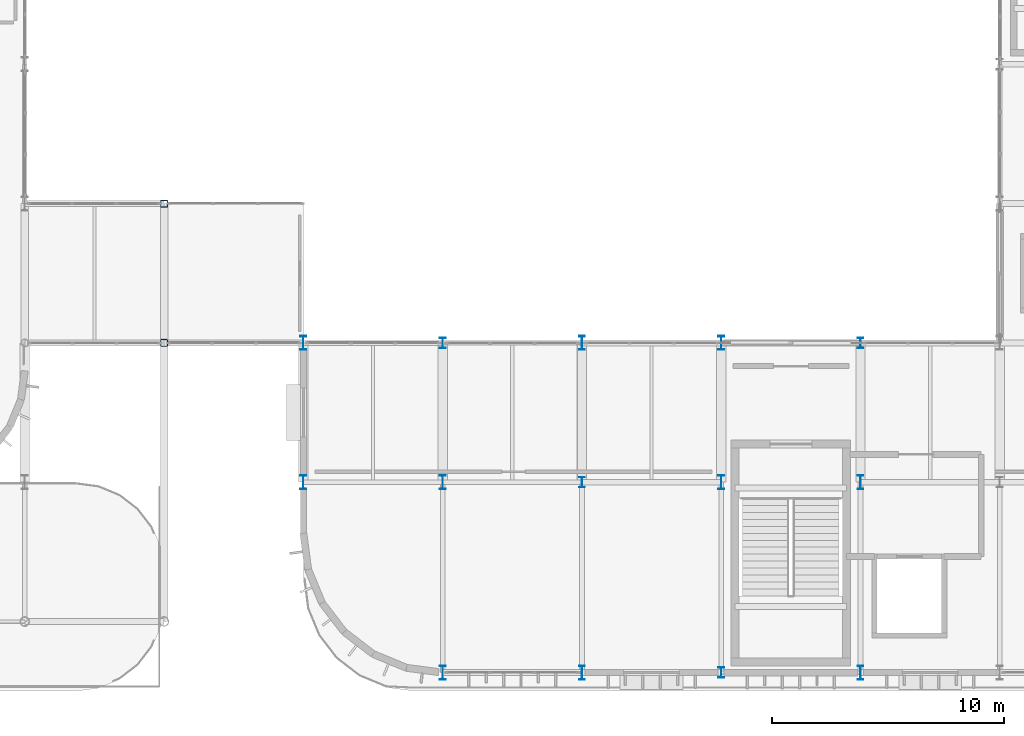
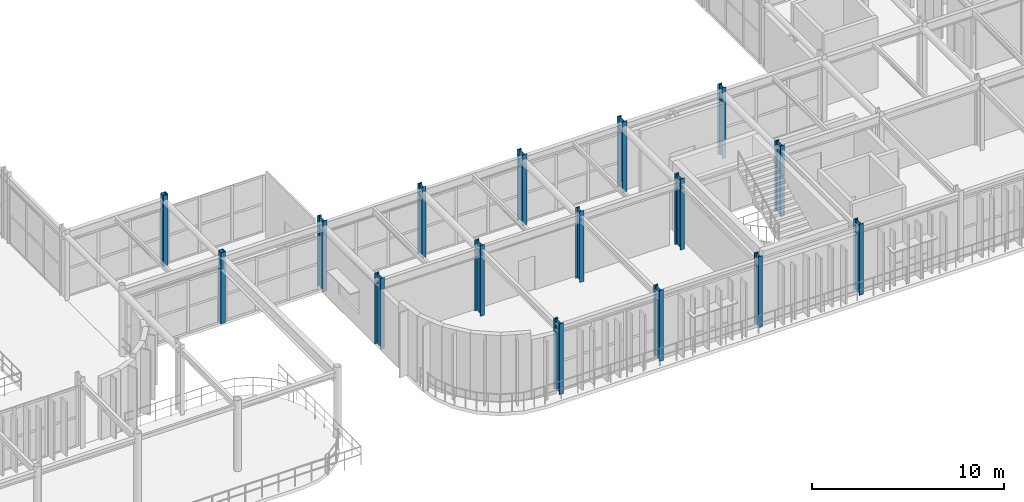
# One storey, part 8 of 96: 16 columns.
"""IFC4 building model written with IfcOpenShell, lengths in metres."""

import ifcopenshell
import ifcopenshell.guid

model = None  # the IFC model being written
_history = None  # IfcOwnerHistory: only IFC2X3 demands one
_inside = {}  # id of a spatial element -> (the spatial element, [elements in it])
_under = {}  # id of a project, library or spatial element -> (it, [spatial elements below it])
_declared = {}  # id of a project -> (the project, [libraries it declares])
_typed = {}  # id of a type object -> (the type object, [elements of that type])
_made_of = {}  # id of a material, layer set ... -> (it, [elements and type objects made of it])


def new_model(schema):
    """Start an empty IFC model of exactly this schema.

    Asked for "IFC4X3", IfcOpenShell would pick the latest addendum, in which some entities
    have other attributes; the version numbers below select the first issue.
    IFC2X3 requires an IfcOwnerHistory on every rooted entity: one is made here for all.
    """
    global model, _history
    if schema == "IFC4X3":
        model = ifcopenshell.file(schema_version=(4, 3, 0, 0))
    else:
        model = ifcopenshell.file(schema=schema)
    _inside.clear()
    _under.clear()
    _declared.clear()
    _typed.clear()
    _made_of.clear()
    _history = None
    if model.schema == "IFC2X3":
        org = make("IfcOrganization", Name="unknown")
        user = make(
            "IfcPersonAndOrganization",
            ThePerson=make("IfcPerson", FamilyName="unknown"),
            TheOrganization=org,
        )
        app = make(
            "IfcApplication",
            ApplicationDeveloper=org,
            Version="unknown",
            ApplicationFullName="unknown",
            ApplicationIdentifier="unknown",
        )
        _history = make(
            "IfcOwnerHistory",
            OwningUser=user,
            OwningApplication=app,
            ChangeAction="ADDED",
            CreationDate=0,
        )
    return model


def make(cls, **values):
    """One entity of the class cls with the attributes given. An attribute that is None is left unset."""
    return model.create_entity(
        cls, **{name: value for name, value in values.items() if value is not None}
    )


def rooted(cls, **values):
    """An entity with a GlobalId (a new one), such as an element, a storey or a relation."""
    return make(cls, GlobalId=ifcopenshell.guid.new(), OwnerHistory=_history, **values)


def si_unit(unit_type, name, prefix=None):
    """IfcSIUnit, for example si_unit("LENGTHUNIT", "METRE", prefix="MILLI")."""
    return make("IfcSIUnit", UnitType=unit_type, Prefix=prefix, Name=name)


def assignment(units):
    """IfcUnitAssignment: the units of a project."""
    return None if units is None else make("IfcUnitAssignment", Units=units)


def point(xyz):
    """IfcCartesianPoint."""
    return None if xyz is None else make("IfcCartesianPoint", Coordinates=xyz)


def direction(xyz):
    """IfcDirection."""
    return None if xyz is None else make("IfcDirection", DirectionRatios=xyz)


def frame(location, z_axis=None, x_axis=None):
    """IfcAxis2Placement3D, a coordinate frame: its origin and axes. An axis left out is left unset."""
    return make(
        "IfcAxis2Placement3D",
        Location=point(location),
        Axis=direction(z_axis),
        RefDirection=direction(x_axis),
    )


def frame_2d(location, x_axis=None):
    """IfcAxis2Placement2D, a coordinate frame in the plane: its origin and x axis."""
    return make(
        "IfcAxis2Placement2D", Location=point(location), RefDirection=direction(x_axis)
    )


def origin():
    """The frame at (0, 0, 0) with its axes left unset."""
    return frame((0.0, 0.0, 0.0))


def origin_2d():
    """The frame at (0, 0) in the plane with its x axis left unset."""
    return frame_2d((0.0, 0.0))


def place(relative_to, where):
    """IfcLocalPlacement: puts the frame where relative to a parent placement (None: the world)."""
    return make(
        "IfcLocalPlacement", PlacementRelTo=relative_to, RelativePlacement=where
    )


def context(
    kind, dimensions, precision=None, world=None, true_north=None, identifier=None
):
    """IfcGeometricRepresentationContext, for example the 3D "Model" context."""
    return make(
        "IfcGeometricRepresentationContext",
        ContextIdentifier=identifier,
        ContextType=kind,
        CoordinateSpaceDimension=dimensions,
        Precision=precision,
        WorldCoordinateSystem=world,
        TrueNorth=true_north,
    )


def subcontext(parent, identifier, kind, view, scale=None):
    """IfcGeometricRepresentationSubContext, for example "Body" below "Model"."""
    return make(
        "IfcGeometricRepresentationSubContext",
        ContextIdentifier=identifier,
        ContextType=kind,
        ParentContext=parent,
        TargetScale=scale,
        TargetView=view,
    )


def project(units=None, contexts=None):
    """IfcProject with its units and contexts."""
    return rooted(
        "IfcProject",
        Name="project",
        RepresentationContexts=contexts,
        UnitsInContext=assignment(units),
    )


def spatial(cls, under=None, at=None, **own):
    """A site, building, storey or space (cls), placed at a placement, below another one or the project."""
    s = rooted(cls, ObjectPlacement=at, **own)
    if under is not None:
        _under.setdefault(under.id(), (under, []))[1].append(s)
    return s


def profile(cls, at=None, kind="AREA", **sizes):
    """A parametric profile (cls). Its sizes go by their IFC names, for example OverallWidth=200.0."""
    return make(cls, ProfileType=kind, Position=at, **sizes)


def hollow_rectangle(**sizes):
    """IfcRectangleHollowProfileDef."""
    return profile("IfcRectangleHollowProfileDef", **sizes)


def i_section(**sizes):
    """IfcIShapeProfileDef."""
    return profile("IfcIShapeProfileDef", **sizes)


def extrude(swept, where, along, depth):
    """IfcExtrudedAreaSolid: the profile swept, set in the frame where, extruded along a direction by depth."""
    return make(
        "IfcExtrudedAreaSolid",
        SweptArea=swept,
        Position=where,
        ExtrudedDirection=direction(along),
        Depth=depth,
    )


def shape(context_of_items, identifier, shape_type, items):
    """IfcShapeRepresentation: the items that make up one representation, for example the "Body"."""
    return make(
        "IfcShapeRepresentation",
        ContextOfItems=context_of_items,
        RepresentationIdentifier=identifier,
        RepresentationType=shape_type,
        Items=items,
    )


def material(Name=None, Category=None):
    """IfcMaterial."""
    return make("IfcMaterial", Name=Name, Category=Category)


def material_profile(
    of_material, cross_section, Name=None, Category=None, Priority=None
):
    """IfcMaterialProfile: a cross section and its material."""
    return make(
        "IfcMaterialProfile",
        Name=Name,
        Material=of_material,
        Profile=cross_section,
        Priority=Priority,
        Category=Category,
    )


def profile_set(profiles, Name=None, composite=None):
    """IfcMaterialProfileSet."""
    return make(
        "IfcMaterialProfileSet",
        Name=Name,
        MaterialProfiles=profiles,
        CompositeProfile=composite,
    )


def made_of(thing, what):
    """Note that an element or type object is made of a material, layer set ...; save() writes the relation."""
    if what is not None:
        _made_of.setdefault(what.id(), (what, []))[1].append(thing)
    return thing


def type_object(cls, material=None, **own):
    """A type object (cls), such as IfcWallType, which elements share."""
    return made_of(rooted(cls, **own), material)


def element(
    cls,
    number,
    at=None,
    inside=None,
    cuts=None,
    type_object=None,
    material=None,
    context=None,
    identifier="Body",
    shape_type=None,
    held_by="IfcProductDefinitionShape",
    body=None,
    shapes=None,
    **own,
):
    """One element of the class cls, such as IfcWall. Its Tag is "e" and its number.

    at: its placement. inside: the storey or other place that contains it. cuts: it is an
    opening in that element (IfcRelVoidsElement). A single representation is given by context,
    identifier, shape_type and body (its items); several are given by shapes. held_by: the class
    of the entity that holds the representations. save() writes the other relations.
    """
    e = rooted(cls, Tag="e%d" % number, ObjectPlacement=at, **own)
    if body is not None:
        shapes = [shape(context, identifier, shape_type, body)]
    if shapes is not None:
        e.Representation = make(held_by, Representations=shapes)
    if inside is not None:
        _inside.setdefault(inside.id(), (inside, []))[1].append(e)
    if cuts is not None:
        rooted(
            "IfcRelVoidsElement", RelatingBuildingElement=cuts, RelatedOpeningElement=e
        )
    if type_object is not None:
        _typed.setdefault(type_object.id(), (type_object, []))[1].append(e)
    return made_of(e, material)


def aggregate(whole, parts):
    """IfcRelAggregates: a whole, such as a stair, and the parts it consists of."""
    return rooted("IfcRelAggregates", RelatingObject=whole, RelatedObjects=parts)


def save(model, path):
    """Write the relations noted so far, then the file.

    IfcRelAggregates (storeys below a building ...), IfcRelContainedInSpatialStructure (elements
    in a storey), IfcRelDefinesByType, IfcRelAssociatesMaterial and IfcRelDeclares: one each for
    every whole, place, type object, material and project.
    """
    for whole, parts in _under.values():
        aggregate(whole, parts)
    for where, things in _inside.values():
        rooted(
            "IfcRelContainedInSpatialStructure",
            RelatedElements=things,
            RelatingStructure=where,
        )
    for kind, things in _typed.values():
        rooted("IfcRelDefinesByType", RelatedObjects=things, RelatingType=kind)
    for what, things in _made_of.values():
        rooted("IfcRelAssociatesMaterial", RelatedObjects=things, RelatingMaterial=what)
    for by, libraries in _declared.values():
        rooted("IfcRelDeclares", RelatingContext=by, RelatedDefinitions=libraries)
    model.write(path)


model = new_model("IFC4")

# Units and contexts
model_context = context("Model", 3, precision=1e-05, world=origin(), true_north=direction((0.0, 1.0)))
body_context = subcontext(model_context, "Body", "Model", "MODEL_VIEW")
ifc_project = project(units=[si_unit("LENGTHUNIT", "METRE"), si_unit("AREAUNIT", "SQUARE_METRE"), si_unit("VOLUMEUNIT", "CUBIC_METRE"), si_unit("PLANEANGLEUNIT", "RADIAN"), si_unit("MASSUNIT", "GRAM", prefix="KILO")], contexts=[model_context])

# Site, building, storey
site_placement = place(None, origin())
site = spatial("IfcSite", under=ifc_project, at=site_placement, CompositionType="ELEMENT")
building_placement = place(site_placement, origin())
building = spatial("IfcBuilding", under=site, at=building_placement, Name="Varnakota Square Police Headquarters", CompositionType="ELEMENT")
storey_placement = place(building_placement, frame((0.0, 0.0, 4.800048828125)))
storey = spatial("IfcBuildingStorey", under=building, at=storey_placement, Name="L01", CompositionType="ELEMENT", Elevation=4.800048828125)

# Columns
ifc_material = material(Name="Steel IS 2062 Grade 350", Category="steel")
ifc_material_profile_1 = material_profile(ifc_material, i_section(OverallWidth=0.25, OverallDepth=0.449951171875, WebThickness=0.01123046875, FlangeThickness=0.013671875, FilletRadius=0.014892578125, at=origin_2d()), Name="ISHB 450")
ifc_profile_set_1 = profile_set([ifc_material_profile_1], Name="Steel IS 2062 Grade 350")
column_type_1 = type_object("IfcColumnType", Name="COL-ISHB450", PredefinedType="COLUMN", material=ifc_profile_set_1)
for number, where, z_axis, x_axis, name in (
    (1, (114.0, 15.0, 0.0), (0.0, 0.0, 1.0), (1.0, 0.0, 0.0), "Column X1140-Y0150 L01"),
    (2, (120.0, 9.0, 0.0), (0.0, 0.0, 1.0), (1.0, 0.0, 0.0), "Column X1200-Y0090 L01"),
    (3, (126.0, 0.800048828125, 0.0), (0.0, 0.0, 1.0), (1.0, 0.0, 0.0), "Column X1260-Y0008 L01"),
    (4, (132.0, 15.0, 0.0), (0.0, 0.0, 1.0), (1.0, 0.0, 0.0), "Column X1320-Y0150 L01"),
):
    element("IfcColumn", number, at=place(storey_placement, frame(where, z_axis=z_axis, x_axis=x_axis)), inside=storey, type_object=column_type_1, Name=name, PredefinedType="COLUMN", context=body_context, shape_type="SweptSolid", body=[
        extrude(i_section(OverallWidth=0.25, OverallDepth=0.449951171875, WebThickness=0.01123046875, FlangeThickness=0.013671875, FilletRadius=0.014892578125, at=origin_2d()), origin(), (0.0, 0.0, 1.0), 4.5),
    ])
ifc_material_profile_2 = material_profile(ifc_material, i_section(OverallWidth=0.25, OverallDepth=0.60009765625, WebThickness=0.01171875, FlangeThickness=0.023681640625, FilletRadius=0.01708984375, at=origin_2d()), Name="ISWB 600")
ifc_profile_set_2 = profile_set([ifc_material_profile_2], Name="Steel IS 2062 Grade 350")
column_type_2 = type_object("IfcColumnType", Name="COL-ISWB600", PredefinedType="COLUMN", material=ifc_profile_set_2)
for number, where, z_axis, x_axis, name in (
    (5, (108.0, 9.0, 0.0), (0.0, 0.0, 1.0), (1.0, 0.0, 0.0), "Column X1080-Y0090 L01"),
    (6, (108.0, 15.0, 0.0), (0.0, 0.0, 1.0), (1.0, 0.0, 0.0), "Column X1080-Y0150 L01"),
    (7, (114.0, 0.800048828125, 0.0), (0.0, 0.0, 1.0), (1.0, 0.0, 0.0), "Column X1140-Y0008 L01"),
    (8, (114.0, 9.0, 0.0), (0.0, 0.0, 1.0), (1.0, 0.0, 0.0), "Column X1140-Y0090 L01"),
    (9, (120.0, 0.800048828125, 0.0), (0.0, 0.0, 1.0), (1.0, 0.0, 0.0), "Column X1200-Y0008 L01"),
    (10, (120.0, 15.0, 0.0), (0.0, 0.0, 1.0), (1.0, 0.0, 0.0), "Column X1200-Y0150 L01"),
    (11, (126.0, 9.0, 0.0), (0.0, 0.0, 1.0), (1.0, 0.0, 0.0), "Column X1260-Y0090 L01"),
    (12, (126.0, 15.0, 0.0), (0.0, 0.0, 1.0), (1.0, 0.0, 0.0), "Column X1260-Y0150 L01"),
    (13, (132.0, 0.800048828125, 0.0), (0.0, 0.0, 1.0), (1.0, 0.0, 0.0), "Column X1320-Y0008 L01"),
    (14, (132.0, 9.0, 0.0), (0.0, 0.0, 1.0), (1.0, 0.0, 0.0), "Column X1320-Y0090 L01"),
):
    element("IfcColumn", number, at=place(storey_placement, frame(where, z_axis=z_axis, x_axis=x_axis)), inside=storey, type_object=column_type_2, Name=name, PredefinedType="COLUMN", context=body_context, shape_type="SweptSolid", body=[
        extrude(i_section(OverallWidth=0.25, OverallDepth=0.60009765625, WebThickness=0.01171875, FlangeThickness=0.023681640625, FilletRadius=0.01708984375, at=origin_2d()), origin(), (0.0, 0.0, 1.0), 4.5),
    ])
ifc_material_profile_3 = material_profile(ifc_material, hollow_rectangle(XDim=0.300048828125, YDim=0.300048828125, WallThickness=0.01611328125, InnerFilletRadius=0.01611328125, OuterFilletRadius=0.031982421875, at=origin_2d()), Name="SHS 300x300x16")
ifc_profile_set_3 = profile_set([ifc_material_profile_3], Name="Steel IS 2062 Grade 350")
column_type_3 = type_object("IfcColumnType", Name="COL-SHS300", PredefinedType="COLUMN", material=ifc_profile_set_3)
for number, where, z_axis, x_axis, name in (
    (15, (102.0, 15.0, 0.0), (0.0, 0.0, 1.0), (1.0, 0.0, 0.0), "Column X1020-Y0150 L01"),
    (16, (102.0, 21.0, 0.0), (0.0, 0.0, 1.0), (1.0, 0.0, 0.0), "Column X1020-Y0210 L01"),
):
    element("IfcColumn", number, at=place(storey_placement, frame(where, z_axis=z_axis, x_axis=x_axis)), inside=storey, type_object=column_type_3, Name=name, PredefinedType="COLUMN", context=body_context, shape_type="SweptSolid", body=[
        extrude(hollow_rectangle(XDim=0.300048828125, YDim=0.300048828125, WallThickness=0.01611328125, InnerFilletRadius=0.01611328125, OuterFilletRadius=0.031982421875, at=origin_2d()), origin(), (0.0, 0.0, 1.0), 4.5),
    ])

save(model, "model.ifc")
